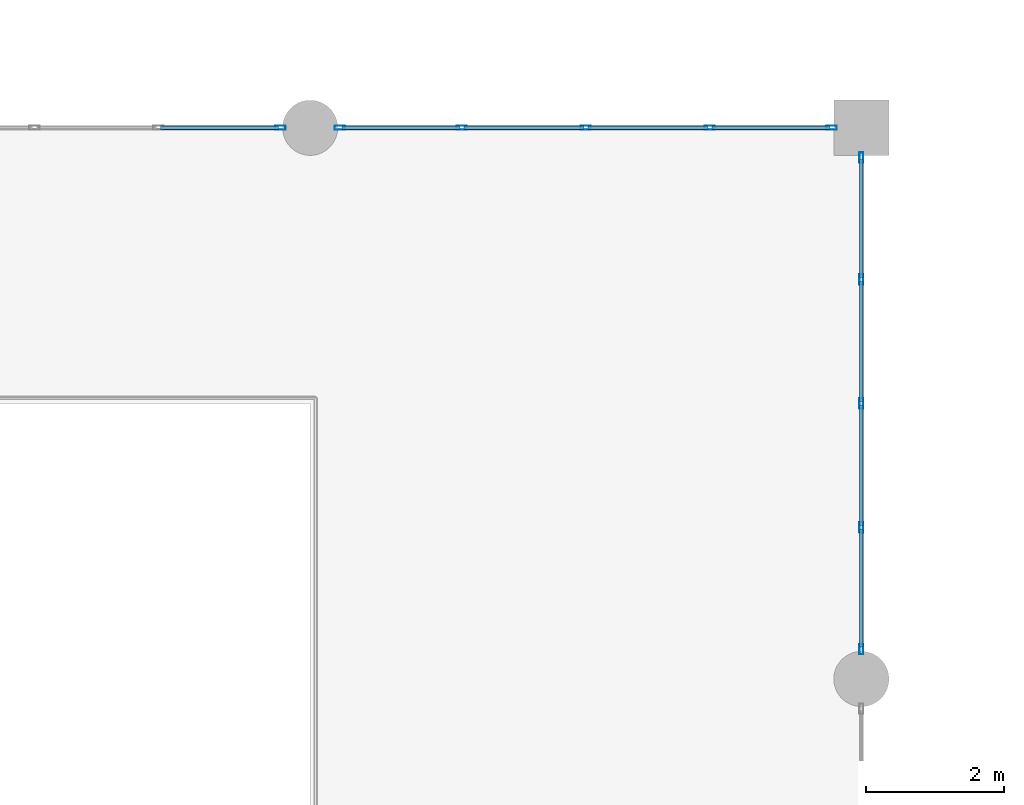
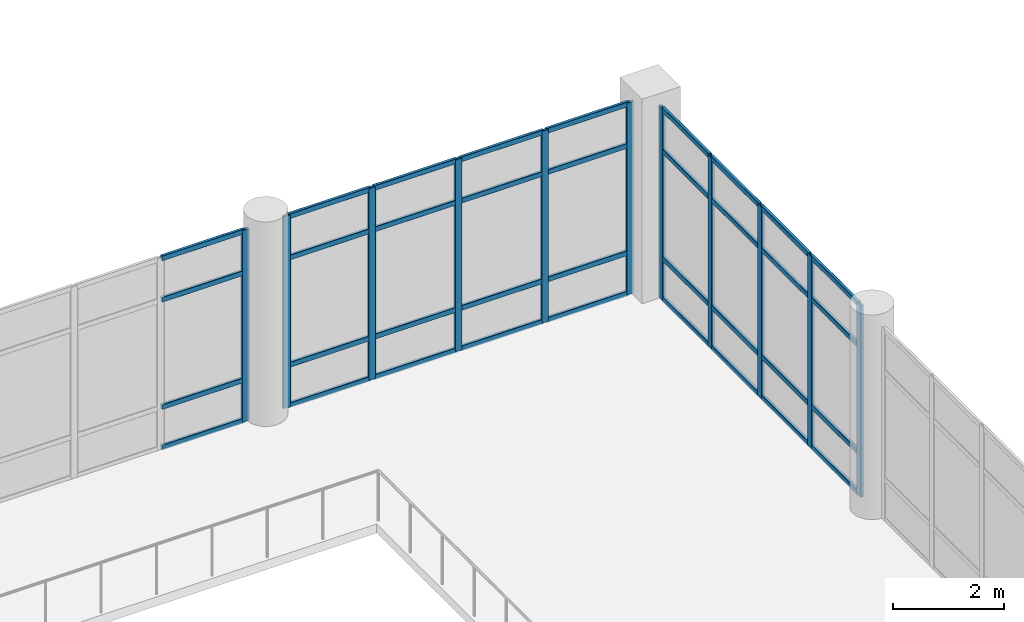
# One storey, part 25 of 42: 47 members, 3 elements without a shape of their own.
"""IFC4 building model written with IfcOpenShell, lengths in metres."""

from ifc_helpers import new_model, si_unit, direction, frame, origin, origin_2d, place, context, subcontext, project, spatial, hollow_rectangle, extrude, material, material_profile, profile_set, type_object, element, aggregate, save


model = new_model("IFC4")

# Units and contexts
model_context = context("Model", 3, precision=1e-05, world=origin(), true_north=direction((0.0, 1.0)))
body_context = subcontext(model_context, "Body", "Model", "MODEL_VIEW")
ifc_project = project(units=[si_unit("LENGTHUNIT", "METRE"), si_unit("AREAUNIT", "SQUARE_METRE"), si_unit("VOLUMEUNIT", "CUBIC_METRE"), si_unit("PLANEANGLEUNIT", "RADIAN"), si_unit("MASSUNIT", "GRAM", prefix="KILO")], contexts=[model_context])

# Site, building, storey
site_placement = place(None, origin())
site = spatial("IfcSite", under=ifc_project, at=site_placement, CompositionType="ELEMENT")
building_placement = place(site_placement, origin())
building = spatial("IfcBuilding", under=site, at=building_placement, Name="Solmirada Galleria", CompositionType="ELEMENT")
storey_placement = place(building_placement, frame((0.0, 0.0, 28.39990234375)))
storey = spatial("IfcBuildingStorey", under=building, at=storey_placement, Name="L06", CompositionType="ELEMENT", Elevation=28.39990234375)

# Curtain wall, member
ifc_material_1 = material(Name="Impact-resistant low-E double glazing", Category="glass")
curtain_wall_type = type_object("IfcCurtainWallType", Name="CW-FZ3-L06-B4-L072", PredefinedType="NOTDEFINED", material=ifc_material_1)
curtain_wall_1_placement = place(storey_placement, origin())
curtain_wall_1 = element("IfcCurtainWall", 1, at=curtain_wall_1_placement, inside=storey, type_object=curtain_wall_type, Name="Terrace and arcade storefront CW-L06-191", PredefinedType="NOTDEFINED")
ifc_material_2 = material(Name="Anodised aluminium framing", Category="aluminium")
ifc_material_profile_1 = material_profile(ifc_material_2, hollow_rectangle(XDim=0.06005859375, YDim=0.14990234375, WallThickness=0.00341796875, InnerFilletRadius=0.00341796875, OuterFilletRadius=0.007080078125, at=origin_2d()), Name="ALU-MULL-150X60")
ifc_profile_set_1 = profile_set([ifc_material_profile_1], Name="Anodised aluminium framing")
member_type_1 = type_object("IfcMemberType", Name="CW-MULL-150", PredefinedType="MULLION", material=ifc_profile_set_1)
member_1_placement = place(storey_placement, frame((103.568115234375, 72.0, 0.0), z_axis=(0.0, 0.0, 1.0), x_axis=(0.0, 1.0, 0.0)))
member_1 = element("IfcMember", 2, at=member_1_placement, type_object=member_type_1, Name="CW38 mullion 5", PredefinedType="MULLION", context=body_context, shape_type="SweptSolid", body=[
    extrude(hollow_rectangle(XDim=0.06005859375, YDim=0.14990234375, WallThickness=0.00341796875, InnerFilletRadius=0.00341796875, OuterFilletRadius=0.007080078125, at=origin_2d()), origin(), (0.0, 0.0, 1.0), 4.22021484375),
])

# Curtain wall, members
curtain_wall_2_placement = place(storey_placement, origin())
curtain_wall_2 = element("IfcCurtainWall", 3, at=curtain_wall_2_placement, inside=storey, type_object=curtain_wall_type, Name="Terrace and arcade storefront CW-L06-192", PredefinedType="NOTDEFINED")
member_2_placement = place(storey_placement, frame((104.431884765625, 72.0, 0.0), z_axis=(0.0, 0.0, 1.0), x_axis=(0.0, 1.0, 0.0)))
member_2 = element("IfcMember", 4, at=member_2_placement, type_object=member_type_1, Name="CW38 mullion 1", PredefinedType="MULLION", context=body_context, shape_type="SweptSolid", body=[
    extrude(hollow_rectangle(XDim=0.06005859375, YDim=0.14990234375, WallThickness=0.00341796875, InnerFilletRadius=0.00341796875, OuterFilletRadius=0.007080078125, at=origin_2d()), origin(), (0.0, 0.0, 1.0), 4.22021484375),
])
member_3_placement = place(storey_placement, frame((106.200927734375, 72.0, 0.0), z_axis=(0.0, 0.0, 1.0), x_axis=(0.0, 1.0, 0.0)))
member_3 = element("IfcMember", 5, at=member_3_placement, type_object=member_type_1, Name="CW38 mullion 2", PredefinedType="MULLION", context=body_context, shape_type="SweptSolid", body=[
    extrude(hollow_rectangle(XDim=0.06005859375, YDim=0.14990234375, WallThickness=0.00341796875, InnerFilletRadius=0.00341796875, OuterFilletRadius=0.007080078125, at=origin_2d()), origin(), (0.0, 0.0, 1.0), 4.22021484375),
])
member_4_placement = place(storey_placement, frame((108.0, 72.0, 0.0), z_axis=(0.0, 0.0, 1.0), x_axis=(0.0, 1.0, 0.0)))
member_4 = element("IfcMember", 6, at=member_4_placement, type_object=member_type_1, Name="CW38 mullion 3", PredefinedType="MULLION", context=body_context, shape_type="SweptSolid", body=[
    extrude(hollow_rectangle(XDim=0.06005859375, YDim=0.14990234375, WallThickness=0.00341796875, InnerFilletRadius=0.00341796875, OuterFilletRadius=0.007080078125, at=origin_2d()), origin(), (0.0, 0.0, 1.0), 4.22021484375),
])
member_5_placement = place(storey_placement, frame((109.799072265625, 72.0, 0.0), z_axis=(0.0, 0.0, 1.0), x_axis=(0.0, 1.0, 0.0)))
member_5 = element("IfcMember", 7, at=member_5_placement, type_object=member_type_1, Name="CW38 mullion 4", PredefinedType="MULLION", context=body_context, shape_type="SweptSolid", body=[
    extrude(hollow_rectangle(XDim=0.06005859375, YDim=0.14990234375, WallThickness=0.00341796875, InnerFilletRadius=0.00341796875, OuterFilletRadius=0.007080078125, at=origin_2d()), origin(), (0.0, 0.0, 1.0), 4.22021484375),
])
member_6_placement = place(storey_placement, frame((111.568115234375, 72.0, 0.0), z_axis=(0.0, 0.0, 1.0), x_axis=(0.0, 1.0, 0.0)))
member_6 = element("IfcMember", 8, at=member_6_placement, type_object=member_type_1, Name="CW38 mullion 5", PredefinedType="MULLION", context=body_context, shape_type="SweptSolid", body=[
    extrude(hollow_rectangle(XDim=0.06005859375, YDim=0.14990234375, WallThickness=0.00341796875, InnerFilletRadius=0.00341796875, OuterFilletRadius=0.007080078125, at=origin_2d()), origin(), (0.0, 0.0, 1.0), 4.22021484375),
])

curtain_wall_3_placement = place(storey_placement, origin())
curtain_wall_3 = element("IfcCurtainWall", 9, at=curtain_wall_3_placement, inside=storey, type_object=curtain_wall_type, Name="Terrace and arcade storefront CW-L06-193", PredefinedType="NOTDEFINED")
member_7_placement = place(storey_placement, frame((112.0, 71.568115234375, 0.0), z_axis=(0.0, 0.0, 1.0), x_axis=(1.0, 0.0, 0.0)))
member_7 = element("IfcMember", 10, at=member_7_placement, type_object=member_type_1, Name="CW38 mullion 1", PredefinedType="MULLION", context=body_context, shape_type="SweptSolid", body=[
    extrude(hollow_rectangle(XDim=0.06005859375, YDim=0.14990234375, WallThickness=0.00341796875, InnerFilletRadius=0.00341796875, OuterFilletRadius=0.007080078125, at=origin_2d()), origin(), (0.0, 0.0, 1.0), 4.22021484375),
])
member_8_placement = place(storey_placement, frame((112.0, 69.799072265625, 0.0), z_axis=(0.0, 0.0, 1.0), x_axis=(1.0, 0.0, 0.0)))
member_8 = element("IfcMember", 11, at=member_8_placement, type_object=member_type_1, Name="CW38 mullion 2", PredefinedType="MULLION", context=body_context, shape_type="SweptSolid", body=[
    extrude(hollow_rectangle(XDim=0.06005859375, YDim=0.14990234375, WallThickness=0.00341796875, InnerFilletRadius=0.00341796875, OuterFilletRadius=0.007080078125, at=origin_2d()), origin(), (0.0, 0.0, 1.0), 4.22021484375),
])
member_9_placement = place(storey_placement, frame((112.0, 68.0, 0.0), z_axis=(0.0, 0.0, 1.0), x_axis=(1.0, 0.0, 0.0)))
member_9 = element("IfcMember", 12, at=member_9_placement, type_object=member_type_1, Name="CW38 mullion 3", PredefinedType="MULLION", context=body_context, shape_type="SweptSolid", body=[
    extrude(hollow_rectangle(XDim=0.06005859375, YDim=0.14990234375, WallThickness=0.00341796875, InnerFilletRadius=0.00341796875, OuterFilletRadius=0.007080078125, at=origin_2d()), origin(), (0.0, 0.0, 1.0), 4.22021484375),
])
member_10_placement = place(storey_placement, frame((112.0, 66.200927734375, 0.0), z_axis=(0.0, 0.0, 1.0), x_axis=(1.0, 0.0, 0.0)))
member_10 = element("IfcMember", 13, at=member_10_placement, type_object=member_type_1, Name="CW38 mullion 4", PredefinedType="MULLION", context=body_context, shape_type="SweptSolid", body=[
    extrude(hollow_rectangle(XDim=0.06005859375, YDim=0.14990234375, WallThickness=0.00341796875, InnerFilletRadius=0.00341796875, OuterFilletRadius=0.007080078125, at=origin_2d()), origin(), (0.0, 0.0, 1.0), 4.22021484375),
])
member_11_placement = place(storey_placement, frame((112.0, 64.431884765625, 0.0), z_axis=(0.0, 0.0, 1.0), x_axis=(1.0, 0.0, 0.0)))
member_11 = element("IfcMember", 14, at=member_11_placement, type_object=member_type_1, Name="CW38 mullion 5", PredefinedType="MULLION", context=body_context, shape_type="SweptSolid", body=[
    extrude(hollow_rectangle(XDim=0.06005859375, YDim=0.14990234375, WallThickness=0.00341796875, InnerFilletRadius=0.00341796875, OuterFilletRadius=0.007080078125, at=origin_2d()), origin(), (0.0, 0.0, 1.0), 4.22021484375),
])

# Member
ifc_material_profile_2 = material_profile(ifc_material_2, hollow_rectangle(XDim=0.06005859375, YDim=0.110107421875, WallThickness=0.003173828125, InnerFilletRadius=0.003173828125, OuterFilletRadius=0.00634765625, at=origin_2d()), Name="ALU-TRAN-110X60")
ifc_profile_set_2 = profile_set([ifc_material_profile_2], Name="Anodised aluminium framing")
member_type_2 = type_object("IfcMemberType", Name="CW-TRAN-110", PredefinedType="USERDEFINED", material=ifc_profile_set_2)
member_12_placement = place(storey_placement, frame((101.8291015625, 72.0, 0.030029296875), z_axis=(1.0, 0.0, 0.0), x_axis=(0.0, 1.0, 0.0)))
member_12 = element("IfcMember", 15, at=member_12_placement, type_object=member_type_2, Name="CW38 transom 4.1", ObjectType="TRANSOM", PredefinedType="USERDEFINED", context=body_context, shape_type="SweptSolid", body=[
    extrude(hollow_rectangle(XDim=0.06005859375, YDim=0.110107421875, WallThickness=0.003173828125, InnerFilletRadius=0.003173828125, OuterFilletRadius=0.00634765625, at=origin_2d()), origin(), (0.0, 0.0, 1.0), 1.708984375),
])

member_13_placement = place(storey_placement, frame((101.8291015625, 72.0, 0.920166015625), z_axis=(1.0, 0.0, 0.0), x_axis=(0.0, 1.0, 0.0)))
member_13 = element("IfcMember", 16, at=member_13_placement, type_object=member_type_2, Name="CW38 transom 4.2", ObjectType="TRANSOM", PredefinedType="USERDEFINED", context=body_context, shape_type="SweptSolid", body=[
    extrude(hollow_rectangle(XDim=0.06005859375, YDim=0.110107421875, WallThickness=0.003173828125, InnerFilletRadius=0.003173828125, OuterFilletRadius=0.00634765625, at=origin_2d()), origin(), (0.0, 0.0, 1.0), 1.708984375),
])

member_14_placement = place(storey_placement, frame((101.8291015625, 72.0, 3.280029296875), z_axis=(1.0, 0.0, 0.0), x_axis=(0.0, 1.0, 0.0)))
member_14 = element("IfcMember", 17, at=member_14_placement, type_object=member_type_2, Name="CW38 transom 4.3", ObjectType="TRANSOM", PredefinedType="USERDEFINED", context=body_context, shape_type="SweptSolid", body=[
    extrude(hollow_rectangle(XDim=0.06005859375, YDim=0.110107421875, WallThickness=0.003173828125, InnerFilletRadius=0.003173828125, OuterFilletRadius=0.00634765625, at=origin_2d()), origin(), (0.0, 0.0, 1.0), 1.708984375),
])

member_15_placement = place(storey_placement, frame((101.8291015625, 72.0, 4.190185546875), z_axis=(1.0, 0.0, 0.0), x_axis=(0.0, 1.0, 0.0)))
member_15 = element("IfcMember", 18, at=member_15_placement, type_object=member_type_2, Name="CW38 transom 4.4", ObjectType="TRANSOM", PredefinedType="USERDEFINED", context=body_context, shape_type="SweptSolid", body=[
    extrude(hollow_rectangle(XDim=0.06005859375, YDim=0.110107421875, WallThickness=0.003173828125, InnerFilletRadius=0.003173828125, OuterFilletRadius=0.00634765625, at=origin_2d()), origin(), (0.0, 0.0, 1.0), 1.708984375),
])

aggregate(curtain_wall_1, [member_1, member_12, member_13, member_14, member_15])

member_16_placement = place(storey_placement, frame((104.4619140625, 72.0, 0.030029296875), z_axis=(1.0, 0.0, 0.0), x_axis=(0.0, 1.0, 0.0)))
member_16 = element("IfcMember", 19, at=member_16_placement, type_object=member_type_2, Name="CW38 transom 1.1", ObjectType="TRANSOM", PredefinedType="USERDEFINED", context=body_context, shape_type="SweptSolid", body=[
    extrude(hollow_rectangle(XDim=0.06005859375, YDim=0.110107421875, WallThickness=0.003173828125, InnerFilletRadius=0.003173828125, OuterFilletRadius=0.00634765625, at=origin_2d()), origin(), (0.0, 0.0, 1.0), 1.708984375),
])

member_17_placement = place(storey_placement, frame((104.4619140625, 72.0, 0.920166015625), z_axis=(1.0, 0.0, 0.0), x_axis=(0.0, 1.0, 0.0)))
member_17 = element("IfcMember", 20, at=member_17_placement, type_object=member_type_2, Name="CW38 transom 1.2", ObjectType="TRANSOM", PredefinedType="USERDEFINED", context=body_context, shape_type="SweptSolid", body=[
    extrude(hollow_rectangle(XDim=0.06005859375, YDim=0.110107421875, WallThickness=0.003173828125, InnerFilletRadius=0.003173828125, OuterFilletRadius=0.00634765625, at=origin_2d()), origin(), (0.0, 0.0, 1.0), 1.708984375),
])

member_18_placement = place(storey_placement, frame((104.4619140625, 72.0, 3.280029296875), z_axis=(1.0, 0.0, 0.0), x_axis=(0.0, 1.0, 0.0)))
member_18 = element("IfcMember", 21, at=member_18_placement, type_object=member_type_2, Name="CW38 transom 1.3", ObjectType="TRANSOM", PredefinedType="USERDEFINED", context=body_context, shape_type="SweptSolid", body=[
    extrude(hollow_rectangle(XDim=0.06005859375, YDim=0.110107421875, WallThickness=0.003173828125, InnerFilletRadius=0.003173828125, OuterFilletRadius=0.00634765625, at=origin_2d()), origin(), (0.0, 0.0, 1.0), 1.708984375),
])

member_19_placement = place(storey_placement, frame((104.4619140625, 72.0, 4.190185546875), z_axis=(1.0, 0.0, 0.0), x_axis=(0.0, 1.0, 0.0)))
member_19 = element("IfcMember", 22, at=member_19_placement, type_object=member_type_2, Name="CW38 transom 1.4", ObjectType="TRANSOM", PredefinedType="USERDEFINED", context=body_context, shape_type="SweptSolid", body=[
    extrude(hollow_rectangle(XDim=0.06005859375, YDim=0.110107421875, WallThickness=0.003173828125, InnerFilletRadius=0.003173828125, OuterFilletRadius=0.00634765625, at=origin_2d()), origin(), (0.0, 0.0, 1.0), 1.708984375),
])

member_20_placement = place(storey_placement, frame((106.23095703125, 72.0, 0.030029296875), z_axis=(1.0, 0.0, 0.0), x_axis=(0.0, 1.0, 0.0)))
member_20 = element("IfcMember", 23, at=member_20_placement, type_object=member_type_2, Name="CW38 transom 2.1", ObjectType="TRANSOM", PredefinedType="USERDEFINED", context=body_context, shape_type="SweptSolid", body=[
    extrude(hollow_rectangle(XDim=0.06005859375, YDim=0.110107421875, WallThickness=0.003173828125, InnerFilletRadius=0.003173828125, OuterFilletRadius=0.00634765625, at=origin_2d()), origin(), (0.0, 0.0, 1.0), 1.739013671875),
])

member_21_placement = place(storey_placement, frame((106.23095703125, 72.0, 0.920166015625), z_axis=(1.0, 0.0, 0.0), x_axis=(0.0, 1.0, 0.0)))
member_21 = element("IfcMember", 24, at=member_21_placement, type_object=member_type_2, Name="CW38 transom 2.2", ObjectType="TRANSOM", PredefinedType="USERDEFINED", context=body_context, shape_type="SweptSolid", body=[
    extrude(hollow_rectangle(XDim=0.06005859375, YDim=0.110107421875, WallThickness=0.003173828125, InnerFilletRadius=0.003173828125, OuterFilletRadius=0.00634765625, at=origin_2d()), origin(), (0.0, 0.0, 1.0), 1.739013671875),
])

member_22_placement = place(storey_placement, frame((106.23095703125, 72.0, 3.280029296875), z_axis=(1.0, 0.0, 0.0), x_axis=(0.0, 1.0, 0.0)))
member_22 = element("IfcMember", 25, at=member_22_placement, type_object=member_type_2, Name="CW38 transom 2.3", ObjectType="TRANSOM", PredefinedType="USERDEFINED", context=body_context, shape_type="SweptSolid", body=[
    extrude(hollow_rectangle(XDim=0.06005859375, YDim=0.110107421875, WallThickness=0.003173828125, InnerFilletRadius=0.003173828125, OuterFilletRadius=0.00634765625, at=origin_2d()), origin(), (0.0, 0.0, 1.0), 1.739013671875),
])

member_23_placement = place(storey_placement, frame((106.23095703125, 72.0, 4.190185546875), z_axis=(1.0, 0.0, 0.0), x_axis=(0.0, 1.0, 0.0)))
member_23 = element("IfcMember", 26, at=member_23_placement, type_object=member_type_2, Name="CW38 transom 2.4", ObjectType="TRANSOM", PredefinedType="USERDEFINED", context=body_context, shape_type="SweptSolid", body=[
    extrude(hollow_rectangle(XDim=0.06005859375, YDim=0.110107421875, WallThickness=0.003173828125, InnerFilletRadius=0.003173828125, OuterFilletRadius=0.00634765625, at=origin_2d()), origin(), (0.0, 0.0, 1.0), 1.739013671875),
])

member_24_placement = place(storey_placement, frame((108.030029296875, 72.0, 0.030029296875), z_axis=(1.0, 0.0, 0.0), x_axis=(0.0, 1.0, 0.0)))
member_24 = element("IfcMember", 27, at=member_24_placement, type_object=member_type_2, Name="CW38 transom 3.1", ObjectType="TRANSOM", PredefinedType="USERDEFINED", context=body_context, shape_type="SweptSolid", body=[
    extrude(hollow_rectangle(XDim=0.06005859375, YDim=0.110107421875, WallThickness=0.003173828125, InnerFilletRadius=0.003173828125, OuterFilletRadius=0.00634765625, at=origin_2d()), origin(), (0.0, 0.0, 1.0), 1.739013671875),
])

member_25_placement = place(storey_placement, frame((108.030029296875, 72.0, 0.920166015625), z_axis=(1.0, 0.0, 0.0), x_axis=(0.0, 1.0, 0.0)))
member_25 = element("IfcMember", 28, at=member_25_placement, type_object=member_type_2, Name="CW38 transom 3.2", ObjectType="TRANSOM", PredefinedType="USERDEFINED", context=body_context, shape_type="SweptSolid", body=[
    extrude(hollow_rectangle(XDim=0.06005859375, YDim=0.110107421875, WallThickness=0.003173828125, InnerFilletRadius=0.003173828125, OuterFilletRadius=0.00634765625, at=origin_2d()), origin(), (0.0, 0.0, 1.0), 1.739013671875),
])

member_26_placement = place(storey_placement, frame((108.030029296875, 72.0, 3.280029296875), z_axis=(1.0, 0.0, 0.0), x_axis=(0.0, 1.0, 0.0)))
member_26 = element("IfcMember", 29, at=member_26_placement, type_object=member_type_2, Name="CW38 transom 3.3", ObjectType="TRANSOM", PredefinedType="USERDEFINED", context=body_context, shape_type="SweptSolid", body=[
    extrude(hollow_rectangle(XDim=0.06005859375, YDim=0.110107421875, WallThickness=0.003173828125, InnerFilletRadius=0.003173828125, OuterFilletRadius=0.00634765625, at=origin_2d()), origin(), (0.0, 0.0, 1.0), 1.739013671875),
])

member_27_placement = place(storey_placement, frame((108.030029296875, 72.0, 4.190185546875), z_axis=(1.0, 0.0, 0.0), x_axis=(0.0, 1.0, 0.0)))
member_27 = element("IfcMember", 30, at=member_27_placement, type_object=member_type_2, Name="CW38 transom 3.4", ObjectType="TRANSOM", PredefinedType="USERDEFINED", context=body_context, shape_type="SweptSolid", body=[
    extrude(hollow_rectangle(XDim=0.06005859375, YDim=0.110107421875, WallThickness=0.003173828125, InnerFilletRadius=0.003173828125, OuterFilletRadius=0.00634765625, at=origin_2d()), origin(), (0.0, 0.0, 1.0), 1.739013671875),
])

member_28_placement = place(storey_placement, frame((109.8291015625, 72.0, 0.030029296875), z_axis=(1.0, 0.0, 0.0), x_axis=(0.0, 1.0, 0.0)))
member_28 = element("IfcMember", 31, at=member_28_placement, type_object=member_type_2, Name="CW38 transom 4.1", ObjectType="TRANSOM", PredefinedType="USERDEFINED", context=body_context, shape_type="SweptSolid", body=[
    extrude(hollow_rectangle(XDim=0.06005859375, YDim=0.110107421875, WallThickness=0.003173828125, InnerFilletRadius=0.003173828125, OuterFilletRadius=0.00634765625, at=origin_2d()), origin(), (0.0, 0.0, 1.0), 1.708984375),
])

member_29_placement = place(storey_placement, frame((109.8291015625, 72.0, 0.920166015625), z_axis=(1.0, 0.0, 0.0), x_axis=(0.0, 1.0, 0.0)))
member_29 = element("IfcMember", 32, at=member_29_placement, type_object=member_type_2, Name="CW38 transom 4.2", ObjectType="TRANSOM", PredefinedType="USERDEFINED", context=body_context, shape_type="SweptSolid", body=[
    extrude(hollow_rectangle(XDim=0.06005859375, YDim=0.110107421875, WallThickness=0.003173828125, InnerFilletRadius=0.003173828125, OuterFilletRadius=0.00634765625, at=origin_2d()), origin(), (0.0, 0.0, 1.0), 1.708984375),
])

member_30_placement = place(storey_placement, frame((109.8291015625, 72.0, 3.280029296875), z_axis=(1.0, 0.0, 0.0), x_axis=(0.0, 1.0, 0.0)))
member_30 = element("IfcMember", 33, at=member_30_placement, type_object=member_type_2, Name="CW38 transom 4.3", ObjectType="TRANSOM", PredefinedType="USERDEFINED", context=body_context, shape_type="SweptSolid", body=[
    extrude(hollow_rectangle(XDim=0.06005859375, YDim=0.110107421875, WallThickness=0.003173828125, InnerFilletRadius=0.003173828125, OuterFilletRadius=0.00634765625, at=origin_2d()), origin(), (0.0, 0.0, 1.0), 1.708984375),
])

member_31_placement = place(storey_placement, frame((109.8291015625, 72.0, 4.190185546875), z_axis=(1.0, 0.0, 0.0), x_axis=(0.0, 1.0, 0.0)))
member_31 = element("IfcMember", 34, at=member_31_placement, type_object=member_type_2, Name="CW38 transom 4.4", ObjectType="TRANSOM", PredefinedType="USERDEFINED", context=body_context, shape_type="SweptSolid", body=[
    extrude(hollow_rectangle(XDim=0.06005859375, YDim=0.110107421875, WallThickness=0.003173828125, InnerFilletRadius=0.003173828125, OuterFilletRadius=0.00634765625, at=origin_2d()), origin(), (0.0, 0.0, 1.0), 1.708984375),
])

aggregate(curtain_wall_2, [member_2, member_3, member_4, member_5, member_6, member_16, member_17, member_18, member_19, member_20, member_21, member_22, member_23, member_24, member_25, member_26, member_27, member_28, member_29, member_30, member_31])

member_32_placement = place(storey_placement, frame((112.0, 71.5380859375, 0.030029296875), z_axis=(0.0, -1.0, 0.0), x_axis=(1.0, 0.0, 0.0)))
member_32 = element("IfcMember", 35, at=member_32_placement, type_object=member_type_2, Name="CW38 transom 1.1", ObjectType="TRANSOM", PredefinedType="USERDEFINED", context=body_context, shape_type="SweptSolid", body=[
    extrude(hollow_rectangle(XDim=0.06005859375, YDim=0.110107421875, WallThickness=0.003173828125, InnerFilletRadius=0.003173828125, OuterFilletRadius=0.00634765625, at=origin_2d()), origin(), (0.0, 0.0, 1.0), 1.708984375),
])

member_33_placement = place(storey_placement, frame((112.0, 71.5380859375, 0.920166015625), z_axis=(0.0, -1.0, 0.0), x_axis=(1.0, 0.0, 0.0)))
member_33 = element("IfcMember", 36, at=member_33_placement, type_object=member_type_2, Name="CW38 transom 1.2", ObjectType="TRANSOM", PredefinedType="USERDEFINED", context=body_context, shape_type="SweptSolid", body=[
    extrude(hollow_rectangle(XDim=0.06005859375, YDim=0.110107421875, WallThickness=0.003173828125, InnerFilletRadius=0.003173828125, OuterFilletRadius=0.00634765625, at=origin_2d()), origin(), (0.0, 0.0, 1.0), 1.708984375),
])

member_34_placement = place(storey_placement, frame((112.0, 71.5380859375, 3.280029296875), z_axis=(0.0, -1.0, 0.0), x_axis=(1.0, 0.0, 0.0)))
member_34 = element("IfcMember", 37, at=member_34_placement, type_object=member_type_2, Name="CW38 transom 1.3", ObjectType="TRANSOM", PredefinedType="USERDEFINED", context=body_context, shape_type="SweptSolid", body=[
    extrude(hollow_rectangle(XDim=0.06005859375, YDim=0.110107421875, WallThickness=0.003173828125, InnerFilletRadius=0.003173828125, OuterFilletRadius=0.00634765625, at=origin_2d()), origin(), (0.0, 0.0, 1.0), 1.708984375),
])

member_35_placement = place(storey_placement, frame((112.0, 71.5380859375, 4.190185546875), z_axis=(0.0, -1.0, 0.0), x_axis=(1.0, 0.0, 0.0)))
member_35 = element("IfcMember", 38, at=member_35_placement, type_object=member_type_2, Name="CW38 transom 1.4", ObjectType="TRANSOM", PredefinedType="USERDEFINED", context=body_context, shape_type="SweptSolid", body=[
    extrude(hollow_rectangle(XDim=0.06005859375, YDim=0.110107421875, WallThickness=0.003173828125, InnerFilletRadius=0.003173828125, OuterFilletRadius=0.00634765625, at=origin_2d()), origin(), (0.0, 0.0, 1.0), 1.708984375),
])

member_36_placement = place(storey_placement, frame((112.0, 69.76904296875, 0.030029296875), z_axis=(0.0, -1.0, 0.0), x_axis=(1.0, 0.0, 0.0)))
member_36 = element("IfcMember", 39, at=member_36_placement, type_object=member_type_2, Name="CW38 transom 2.1", ObjectType="TRANSOM", PredefinedType="USERDEFINED", context=body_context, shape_type="SweptSolid", body=[
    extrude(hollow_rectangle(XDim=0.06005859375, YDim=0.110107421875, WallThickness=0.003173828125, InnerFilletRadius=0.003173828125, OuterFilletRadius=0.00634765625, at=origin_2d()), origin(), (0.0, 0.0, 1.0), 1.739013671875),
])

member_37_placement = place(storey_placement, frame((112.0, 69.76904296875, 0.920166015625), z_axis=(0.0, -1.0, 0.0), x_axis=(1.0, 0.0, 0.0)))
member_37 = element("IfcMember", 40, at=member_37_placement, type_object=member_type_2, Name="CW38 transom 2.2", ObjectType="TRANSOM", PredefinedType="USERDEFINED", context=body_context, shape_type="SweptSolid", body=[
    extrude(hollow_rectangle(XDim=0.06005859375, YDim=0.110107421875, WallThickness=0.003173828125, InnerFilletRadius=0.003173828125, OuterFilletRadius=0.00634765625, at=origin_2d()), origin(), (0.0, 0.0, 1.0), 1.739013671875),
])

member_38_placement = place(storey_placement, frame((112.0, 69.76904296875, 3.280029296875), z_axis=(0.0, -1.0, 0.0), x_axis=(1.0, 0.0, 0.0)))
member_38 = element("IfcMember", 41, at=member_38_placement, type_object=member_type_2, Name="CW38 transom 2.3", ObjectType="TRANSOM", PredefinedType="USERDEFINED", context=body_context, shape_type="SweptSolid", body=[
    extrude(hollow_rectangle(XDim=0.06005859375, YDim=0.110107421875, WallThickness=0.003173828125, InnerFilletRadius=0.003173828125, OuterFilletRadius=0.00634765625, at=origin_2d()), origin(), (0.0, 0.0, 1.0), 1.739013671875),
])

member_39_placement = place(storey_placement, frame((112.0, 69.76904296875, 4.190185546875), z_axis=(0.0, -1.0, 0.0), x_axis=(1.0, 0.0, 0.0)))
member_39 = element("IfcMember", 42, at=member_39_placement, type_object=member_type_2, Name="CW38 transom 2.4", ObjectType="TRANSOM", PredefinedType="USERDEFINED", context=body_context, shape_type="SweptSolid", body=[
    extrude(hollow_rectangle(XDim=0.06005859375, YDim=0.110107421875, WallThickness=0.003173828125, InnerFilletRadius=0.003173828125, OuterFilletRadius=0.00634765625, at=origin_2d()), origin(), (0.0, 0.0, 1.0), 1.739013671875),
])

member_40_placement = place(storey_placement, frame((112.0, 67.969970703125, 0.030029296875), z_axis=(0.0, -1.0, 0.0), x_axis=(1.0, 0.0, 0.0)))
member_40 = element("IfcMember", 43, at=member_40_placement, type_object=member_type_2, Name="CW38 transom 3.1", ObjectType="TRANSOM", PredefinedType="USERDEFINED", context=body_context, shape_type="SweptSolid", body=[
    extrude(hollow_rectangle(XDim=0.06005859375, YDim=0.110107421875, WallThickness=0.003173828125, InnerFilletRadius=0.003173828125, OuterFilletRadius=0.00634765625, at=origin_2d()), origin(), (0.0, 0.0, 1.0), 1.739013671875),
])

member_41_placement = place(storey_placement, frame((112.0, 67.969970703125, 0.920166015625), z_axis=(0.0, -1.0, 0.0), x_axis=(1.0, 0.0, 0.0)))
member_41 = element("IfcMember", 44, at=member_41_placement, type_object=member_type_2, Name="CW38 transom 3.2", ObjectType="TRANSOM", PredefinedType="USERDEFINED", context=body_context, shape_type="SweptSolid", body=[
    extrude(hollow_rectangle(XDim=0.06005859375, YDim=0.110107421875, WallThickness=0.003173828125, InnerFilletRadius=0.003173828125, OuterFilletRadius=0.00634765625, at=origin_2d()), origin(), (0.0, 0.0, 1.0), 1.739013671875),
])

member_42_placement = place(storey_placement, frame((112.0, 67.969970703125, 3.280029296875), z_axis=(0.0, -1.0, 0.0), x_axis=(1.0, 0.0, 0.0)))
member_42 = element("IfcMember", 45, at=member_42_placement, type_object=member_type_2, Name="CW38 transom 3.3", ObjectType="TRANSOM", PredefinedType="USERDEFINED", context=body_context, shape_type="SweptSolid", body=[
    extrude(hollow_rectangle(XDim=0.06005859375, YDim=0.110107421875, WallThickness=0.003173828125, InnerFilletRadius=0.003173828125, OuterFilletRadius=0.00634765625, at=origin_2d()), origin(), (0.0, 0.0, 1.0), 1.739013671875),
])

member_43_placement = place(storey_placement, frame((112.0, 67.969970703125, 4.190185546875), z_axis=(0.0, -1.0, 0.0), x_axis=(1.0, 0.0, 0.0)))
member_43 = element("IfcMember", 46, at=member_43_placement, type_object=member_type_2, Name="CW38 transom 3.4", ObjectType="TRANSOM", PredefinedType="USERDEFINED", context=body_context, shape_type="SweptSolid", body=[
    extrude(hollow_rectangle(XDim=0.06005859375, YDim=0.110107421875, WallThickness=0.003173828125, InnerFilletRadius=0.003173828125, OuterFilletRadius=0.00634765625, at=origin_2d()), origin(), (0.0, 0.0, 1.0), 1.739013671875),
])

member_44_placement = place(storey_placement, frame((112.0, 66.1708984375, 0.030029296875), z_axis=(0.0, -1.0, 0.0), x_axis=(1.0, 0.0, 0.0)))
member_44 = element("IfcMember", 47, at=member_44_placement, type_object=member_type_2, Name="CW38 transom 4.1", ObjectType="TRANSOM", PredefinedType="USERDEFINED", context=body_context, shape_type="SweptSolid", body=[
    extrude(hollow_rectangle(XDim=0.06005859375, YDim=0.110107421875, WallThickness=0.003173828125, InnerFilletRadius=0.003173828125, OuterFilletRadius=0.00634765625, at=origin_2d()), origin(), (0.0, 0.0, 1.0), 1.708984375),
])

member_45_placement = place(storey_placement, frame((112.0, 66.1708984375, 0.920166015625), z_axis=(0.0, -1.0, 0.0), x_axis=(1.0, 0.0, 0.0)))
member_45 = element("IfcMember", 48, at=member_45_placement, type_object=member_type_2, Name="CW38 transom 4.2", ObjectType="TRANSOM", PredefinedType="USERDEFINED", context=body_context, shape_type="SweptSolid", body=[
    extrude(hollow_rectangle(XDim=0.06005859375, YDim=0.110107421875, WallThickness=0.003173828125, InnerFilletRadius=0.003173828125, OuterFilletRadius=0.00634765625, at=origin_2d()), origin(), (0.0, 0.0, 1.0), 1.708984375),
])

member_46_placement = place(storey_placement, frame((112.0, 66.1708984375, 3.280029296875), z_axis=(0.0, -1.0, 0.0), x_axis=(1.0, 0.0, 0.0)))
member_46 = element("IfcMember", 49, at=member_46_placement, type_object=member_type_2, Name="CW38 transom 4.3", ObjectType="TRANSOM", PredefinedType="USERDEFINED", context=body_context, shape_type="SweptSolid", body=[
    extrude(hollow_rectangle(XDim=0.06005859375, YDim=0.110107421875, WallThickness=0.003173828125, InnerFilletRadius=0.003173828125, OuterFilletRadius=0.00634765625, at=origin_2d()), origin(), (0.0, 0.0, 1.0), 1.708984375),
])

member_47_placement = place(storey_placement, frame((112.0, 66.1708984375, 4.190185546875), z_axis=(0.0, -1.0, 0.0), x_axis=(1.0, 0.0, 0.0)))
member_47 = element("IfcMember", 50, at=member_47_placement, type_object=member_type_2, Name="CW38 transom 4.4", ObjectType="TRANSOM", PredefinedType="USERDEFINED", context=body_context, shape_type="SweptSolid", body=[
    extrude(hollow_rectangle(XDim=0.06005859375, YDim=0.110107421875, WallThickness=0.003173828125, InnerFilletRadius=0.003173828125, OuterFilletRadius=0.00634765625, at=origin_2d()), origin(), (0.0, 0.0, 1.0), 1.708984375),
])

aggregate(curtain_wall_3, [member_7, member_8, member_9, member_10, member_11, member_32, member_33, member_34, member_35, member_36, member_37, member_38, member_39, member_40, member_41, member_42, member_43, member_44, member_45, member_46, member_47])

save(model, "model.ifc")
